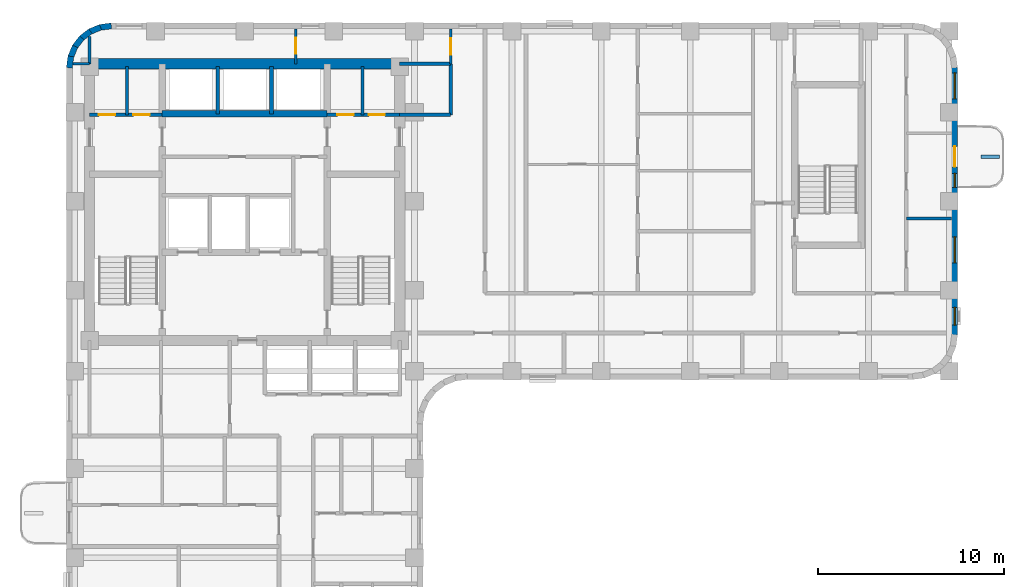
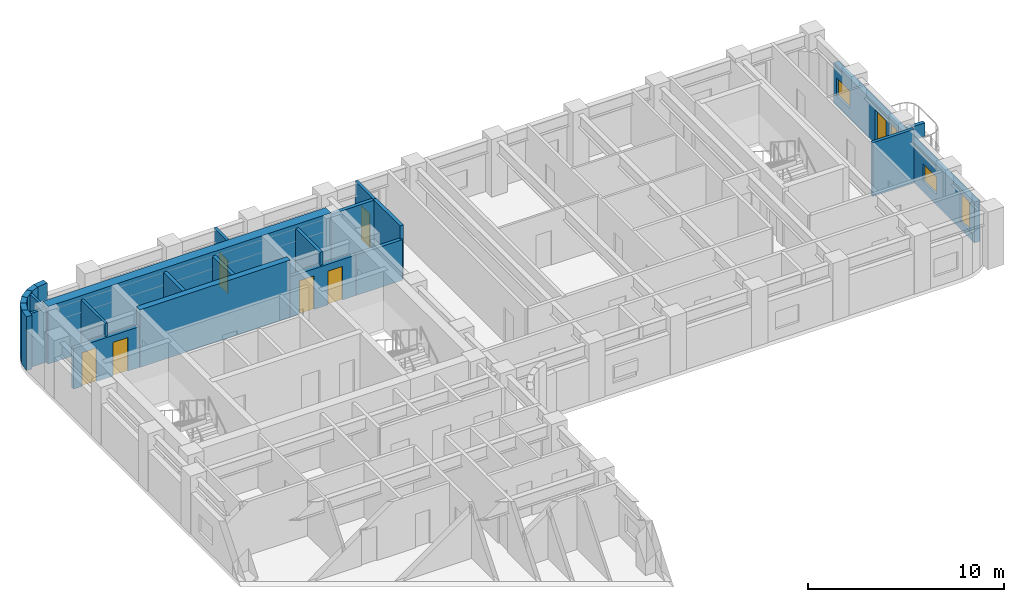
# One storey, part 6 of 10: 24 walls, 7 doors, 4 windows, 11 openings.
"""IFC4 building model written with IfcOpenShell, lengths in metres."""

from ifc_helpers import new_model, si_unit, direction, frame, frame_2d, origin, place, context, subcontext, project, spatial, rectangle, extrude, material, layer, layer_set, type_object, element, fill, save


model = new_model("IFC4")

# Units and contexts
model_context = context("Model", 3, precision=1e-05, world=origin(), true_north=direction((0.0, 1.0)))
body_context = subcontext(model_context, "Body", "Model", "MODEL_VIEW")
ifc_project = project(units=[si_unit("LENGTHUNIT", "METRE"), si_unit("AREAUNIT", "SQUARE_METRE"), si_unit("VOLUMEUNIT", "CUBIC_METRE"), si_unit("PLANEANGLEUNIT", "RADIAN"), si_unit("MASSUNIT", "GRAM", prefix="KILO")], contexts=[model_context])

# Site, building, storey
site_placement = place(None, origin())
site = spatial("IfcSite", under=ifc_project, at=site_placement, CompositionType="ELEMENT")
building_placement = place(site_placement, origin())
building = spatial("IfcBuilding", under=site, at=building_placement, Name="Orvandelia Arch Residences", CompositionType="ELEMENT")
storey_placement = place(building_placement, frame((0.0, 0.0, 136.0)))
storey = spatial("IfcBuildingStorey", under=building, at=storey_placement, Name="L35", CompositionType="ELEMENT", Elevation=136.0)

# Walls
ifc_material_1 = material(Name="Concrete C50/60", Category="concrete")
ifc_layer_1 = layer(ifc_material_1, 0.35009765625, Name="Concrete C50/60", Category="concrete")
ifc_layer_set_1 = layer_set([ifc_layer_1], Name="Concrete C50/60")
wall_type_1 = type_object("IfcWallType", Name="WL-CORE-350", PredefinedType="SHEAR", material=ifc_layer_set_1)
wall_1_placement = place(storey_placement, frame((9.9599609375, 43.10009765625, 0.0), z_axis=(0.0, 0.0, 1.0), x_axis=(1.0, 0.0, 0.0)))
element("IfcWall", 1, at=wall_1_placement, inside=storey, type_object=wall_type_1, Name="Core Shear Wall L35-HZ4", PredefinedType="SHEAR", context=body_context, shape_type="SweptSolid", body=[
    extrude(rectangle(XDim=8.880126953125, YDim=0.35009765625, at=frame_2d((4.43994140625, 0.0))), origin(), (0.0, 0.0, 1.0), 3.60009765625),
])
ifc_material_2 = material(Name="Concrete C60/75", Category="concrete")
ifc_layer_2 = layer(ifc_material_2, 0.550048828125, Name="Concrete C60/75", Category="concrete")
ifc_layer_set_2 = layer_set([ifc_layer_2], Name="Concrete C60/75")
wall_type_2 = type_object("IfcWallType", Name="WL-CORE-550", PredefinedType="SHEAR", material=ifc_layer_set_2)
wall_2_placement = place(storey_placement, frame((6.050048828125, 45.800048828125, 0.0), z_axis=(0.0, 0.0, 1.0), x_axis=(1.0, 0.0, 0.0)))
element("IfcWall", 2, at=wall_2_placement, inside=storey, type_object=wall_type_2, Name="Core Shear Wall L35-N", PredefinedType="SHEAR", context=body_context, shape_type="SweptSolid", body=[
    extrude(rectangle(XDim=16.699951171875, YDim=0.550048828125, at=frame_2d((8.35009765625, 0.0))), origin(), (0.0, 0.0, 1.0), 3.60009765625),
])
ifc_material_3 = material(Name="Fire-Rated Corridor Partition")
ifc_layer_3 = layer(ifc_material_3, 0.199951171875, Name="Fire-Rated Corridor Partition")
ifc_layer_set_3 = layer_set([ifc_layer_3], Name="Fire-Rated Corridor Partition")
wall_type_3 = type_object("IfcWallType", Name="WL-CORR-200", PredefinedType="PARTITIONING", material=ifc_layer_set_3)
wall_3_placement = place(storey_placement, frame((22.75, 45.800048828125, 0.0), z_axis=(0.0, 0.0, 1.0), x_axis=(1.0, 0.0, 0.0)))
element("IfcWall", 3, at=wall_3_placement, inside=storey, type_object=wall_type_3, Name="Interior Partition Wall WL-L35-NCE-S", PredefinedType="PARTITIONING", context=body_context, shape_type="SweptSolid", body=[
    extrude(rectangle(XDim=2.75, YDim=0.199951171875, at=frame_2d((1.375, 0.0))), origin(), (0.0, 0.0, 1.0), 3.360107421875),
])
wall_4_placement = place(storey_placement, frame((22.75, 43.050048828125, 0.0), z_axis=(0.0, 0.0, 1.0), x_axis=(1.0, 0.0, 0.0)))
element("IfcWall", 4, at=wall_4_placement, inside=storey, type_object=wall_type_3, Name="Interior Partition Wall WL-L35-ES-LS", PredefinedType="PARTITIONING", context=body_context, shape_type="SweptSolid", body=[
    extrude(rectangle(XDim=2.75, YDim=0.199951171875, at=frame_2d((1.375, 0.0))), origin(), (0.0, 0.0, 1.0), 2.5400390625),
])
wall_5_placement = place(storey_placement, frame((25.5, 43.050048828125, 0.0), z_axis=(0.0, 0.0, 1.0), x_axis=(0.0, 1.0, 0.0)))
element("IfcWall", 5, at=wall_5_placement, inside=storey, type_object=wall_type_3, Name="Interior Partition Wall WL-L35-ES-LW2", PredefinedType="PARTITIONING", context=body_context, shape_type="SweptSolid", body=[
    extrude(rectangle(XDim=2.75, YDim=0.199951171875, at=frame_2d((1.375, 0.0))), origin(), (0.0, 0.0, 1.0), 3.360107421875),
])
ifc_material_4 = material(Name="Precast concrete C40/50", Category="concrete")
ifc_layer_4 = layer(ifc_material_4, 0.320068359375, Name="Precast concrete C40/50", Category="concrete")
ifc_layer_set_4 = layer_set([ifc_layer_4], Name="Precast concrete C40/50")
wall_type_4 = type_object("IfcWallType", Name="WL-EXT-STONE-320", PredefinedType="STANDARD", material=ifc_layer_set_4)
for number, where, z_axis, x_axis, name in (
    (6, (4.95849609375, 45.5791015625, 0.0), (0.0, 0.0, 1.0), (0.130555323746, 0.9914410257, 0.0), "Coral-Limestone Precast Facade Wall L35-001"),
    (7, (5.029541015625, 46.159912109375, 0.0), (0.0, 0.0, 1.0), (0.382650053678, 0.92389335771, 0.0), "Coral-Limestone Precast Facade Wall L35-002"),
):
    element("IfcWall", number, at=place(storey_placement, frame(where, z_axis=z_axis, x_axis=x_axis)), inside=storey, type_object=wall_type_4, Name=name, PredefinedType="STANDARD", context=body_context, shape_type="SweptSolid", body=[
        extrude(rectangle(XDim=0.62646484375, YDim=0.320068359375, at=frame_2d((0.313232421875, 0.0))), origin(), (0.0, 0.0, 1.0), 3.360107421875),
    ])
wall_6_placement = place(storey_placement, frame((5.248291015625, 46.70263671875, 0.0), z_axis=(0.0, 0.0, 1.0), x_axis=(0.608938521285, 0.7932174212, 0.0)))
element("IfcWall", 8, at=wall_6_placement, inside=storey, type_object=wall_type_4, Name="Coral-Limestone Precast Facade Wall L35-003", PredefinedType="STANDARD", context=body_context, shape_type="SweptSolid", body=[
    extrude(rectangle(XDim=0.626708984375, YDim=0.320068359375, at=frame_2d((0.3134765625, 0.0))), origin(), (0.0, 0.0, 1.0), 3.360107421875),
])
wall_7_placement = place(storey_placement, frame((5.600341796875, 47.170166015625, 0.0), z_axis=(0.0, 0.0, 1.0), x_axis=(0.793405610854, 0.608693302629, 0.0)))
element("IfcWall", 9, at=wall_7_placement, inside=storey, type_object=wall_type_4, Name="Coral-Limestone Precast Facade Wall L35-004", PredefinedType="STANDARD", context=body_context, shape_type="SweptSolid", body=[
    extrude(rectangle(XDim=0.62646484375, YDim=0.320068359375, at=frame_2d((0.313232421875, 0.0))), origin(), (0.0, 0.0, 1.0), 3.360107421875),
])
wall_8_placement = place(storey_placement, frame((6.061279296875, 47.53076171875, 0.0), z_axis=(0.0, 0.0, 1.0), x_axis=(0.923836271867, 0.382787856107, 0.0)))
element("IfcWall", 10, at=wall_8_placement, inside=storey, type_object=wall_type_4, Name="Coral-Limestone Precast Facade Wall L35-005", PredefinedType="STANDARD", context=body_context, shape_type="SweptSolid", body=[
    extrude(rectangle(XDim=0.626220703125, YDim=0.320068359375, at=frame_2d((0.31298828125, 0.0))), origin(), (0.0, 0.0, 1.0), 3.360107421875),
])
wall_9_placement = place(storey_placement, frame((6.599609375, 47.759521484375, 0.0), z_axis=(0.0, 0.0, 1.0), x_axis=(0.991447664465, 0.130504898859, 0.0)))
element("IfcWall", 11, at=wall_9_placement, inside=storey, type_object=wall_type_4, Name="Coral-Limestone Precast Facade Wall L35-006", PredefinedType="STANDARD", context=body_context, shape_type="SweptSolid", body=[
    extrude(rectangle(XDim=0.626708984375, YDim=0.320068359375, at=frame_2d((0.3134765625, 0.0))), origin(), (0.0, 0.0, 1.0), 3.360107421875),
])

# Wall, openings, door, windows
wall_10_placement = place(storey_placement, frame((52.639892578125, 45.60009765625, 0.0), z_axis=(0.0, 0.0, 1.0), x_axis=(0.0, -1.0, 0.0)))
wall_10 = element("IfcWall", 12, at=wall_10_placement, inside=storey, type_object=wall_type_4, Name="Coral-Limestone Precast Facade Wall L35-014", PredefinedType="STANDARD", context=body_context, shape_type="SweptSolid", body=[
    extrude(rectangle(XDim=14.400146484375, YDim=0.320068359375, at=frame_2d((7.2001953125, 0.0))), origin(), (0.0, 0.0, 1.0), 2.5400390625),
])
opening_1_placement = place(wall_10_placement, frame((4.25, 0.0, 0.0)))
opening_1 = element("IfcOpeningElement", 13, at=opening_1_placement, cuts=wall_10, Name="Opening BD1", PredefinedType="OPENING", context=body_context, shape_type="SweptSolid", body=[
    extrude(rectangle(XDim=1.10009765625, YDim=2.14990234375, at=frame_2d((0.550048828125, 1.074951171875))), frame((0.0, 0.169921875, 0.0), z_axis=(0.0, -1.0, 0.0), x_axis=(1.0, 0.0, 0.0)), (0.0, 0.0, 1.0), 0.340087890625),
])
opening_2_placement = place(wall_10_placement, frame((0.282470703125, 0.0, 0.64990234375)))
opening_2 = element("IfcOpeningElement", 14, at=opening_2_placement, cuts=wall_10, Name="Opening W10", PredefinedType="OPENING", context=body_context, shape_type="SweptSolid", body=[
    extrude(rectangle(XDim=1.39990234375, YDim=1.10009765625, at=frame_2d((0.699951171875, 0.550048828125))), frame((0.0, 0.169921875, 0.0), z_axis=(0.0, -1.0, 0.0), x_axis=(1.0, 0.0, 0.0)), (0.0, 0.0, 1.0), 0.340087890625),
])
opening_3_placement = place(wall_10_placement, frame((12.922607421875, 0.0, 0.449951171875)))
opening_3 = element("IfcOpeningElement", 15, at=opening_3_placement, cuts=wall_10, Name="Opening W4", PredefinedType="OPENING", context=body_context, shape_type="SweptSolid", body=[
    extrude(rectangle(XDim=0.949951171875, YDim=1.800048828125, at=frame_2d((0.47509765625, 0.89990234375))), frame((0.0, 0.169921875, 0.0), z_axis=(0.0, -1.0, 0.0), x_axis=(1.0, 0.0, 0.0)), (0.0, 0.0, 1.0), 0.340087890625),
])
opening_4_placement = place(wall_10_placement, frame((9.119384765625, 0.0, 0.64990234375)))
opening_4 = element("IfcOpeningElement", 16, at=opening_4_placement, cuts=wall_10, Name="Opening W10", PredefinedType="OPENING", context=body_context, shape_type="SweptSolid", body=[
    extrude(rectangle(XDim=1.39990234375, YDim=1.10009765625, at=frame_2d((0.699951171875, 0.550048828125))), frame((0.0, 0.169921875, 0.0), z_axis=(0.0, -1.0, 0.0), x_axis=(1.0, 0.0, 0.0)), (0.0, 0.0, 1.0), 0.340087890625),
])
opening_5_placement = place(wall_10_placement, frame((5.702392578125, 0.0, 0.449951171875)))
opening_5 = element("IfcOpeningElement", 17, at=opening_5_placement, cuts=wall_10, Name="Opening W11", PredefinedType="OPENING", context=body_context, shape_type="SweptSolid", body=[
    extrude(rectangle(XDim=0.75, YDim=1.800048828125, at=frame_2d((0.375, 0.89990234375))), frame((0.0, 0.169921875, 0.0), z_axis=(0.0, -1.0, 0.0), x_axis=(1.0, 0.0, 0.0)), (0.0, 0.0, 1.0), 0.340087890625),
])
ifc_material_5 = material(Name="Thermally Broken Aluminium Glazed Door", Category="aluminium")
door_type_1 = type_object("IfcDoorType", Name="DR-BAL-GLAZ-1100", OperationType="NOTDEFINED", PredefinedType="DOOR", material=ifc_material_5)
door_1_placement = place(opening_1_placement, origin())
door_1 = element("IfcDoor", 18, at=door_1_placement, inside=storey, type_object=door_type_1, Name="Tree Balcony Glazed Door BAL-L35-E1", OperationType="SINGLE_SWING_LEFT", OverallHeight=2.14990234375, OverallWidth=1.10009765625, PredefinedType="DOOR", context=body_context, shape_type="SweptSolid", body=[
    extrude(rectangle(XDim=1.10009765625, YDim=2.14990234375, at=frame_2d((0.550048828125, 1.074951171875))), frame((0.0, 0.02490234375, 0.0), z_axis=(0.0, -1.0, 0.0), x_axis=(1.0, 0.0, 0.0)), (0.0, 0.0, 1.0), 0.050048828125),
])
fill(opening_1, door_1)
ifc_material_6 = material(Name="Tempered Low-E Insulated Glazing", Category="glass")
window_type_1 = type_object("IfcWindowType", Name="WIN-BED-0750x1800", PartitioningType="SINGLE_PANEL", PredefinedType="WINDOW", material=ifc_material_6)
window_1_placement = place(opening_5_placement, origin())
window_1 = element("IfcWindow", 19, at=window_1_placement, inside=storey, type_object=window_type_1, Name="Recessed Punched Window L35-011", OverallHeight=1.800048828125, OverallWidth=0.75, PartitioningType="SINGLE_PANEL", PredefinedType="WINDOW", context=body_context, shape_type="SweptSolid", body=[
    extrude(rectangle(XDim=0.75, YDim=1.800048828125, at=frame_2d((0.375, 0.89990234375))), frame((0.0, 0.030029296875, 0.0), z_axis=(0.0, -1.0, 0.0), x_axis=(1.0, 0.0, 0.0)), (0.0, 0.0, 1.0), 0.06005859375),
])
fill(opening_5, window_1)
window_type_2 = type_object("IfcWindowType", Name="WIN-CLR-1400x1100", PartitioningType="SINGLE_PANEL", PredefinedType="WINDOW", material=ifc_material_6)
window_2_placement = place(opening_2_placement, origin())
window_2 = element("IfcWindow", 20, at=window_2_placement, inside=storey, type_object=window_type_2, Name="Recessed Punched Window L35-008", OverallHeight=1.10009765625, OverallWidth=1.39990234375, PartitioningType="SINGLE_PANEL", PredefinedType="WINDOW", context=body_context, shape_type="SweptSolid", body=[
    extrude(rectangle(XDim=1.39990234375, YDim=1.10009765625, at=frame_2d((0.699951171875, 0.550048828125))), frame((0.0, 0.030029296875, 0.0), z_axis=(0.0, -1.0, 0.0), x_axis=(1.0, 0.0, 0.0)), (0.0, 0.0, 1.0), 0.06005859375),
])
fill(opening_2, window_2)
window_3_placement = place(opening_4_placement, origin())
window_3 = element("IfcWindow", 21, at=window_3_placement, inside=storey, type_object=window_type_2, Name="Recessed Punched Window L35-010", OverallHeight=1.10009765625, OverallWidth=1.39990234375, PartitioningType="SINGLE_PANEL", PredefinedType="WINDOW", context=body_context, shape_type="SweptSolid", body=[
    extrude(rectangle(XDim=1.39990234375, YDim=1.10009765625, at=frame_2d((0.699951171875, 0.550048828125))), frame((0.0, 0.030029296875, 0.0), z_axis=(0.0, -1.0, 0.0), x_axis=(1.0, 0.0, 0.0)), (0.0, 0.0, 1.0), 0.06005859375),
])
fill(opening_4, window_3)
window_type_3 = type_object("IfcWindowType", Name="WIN-RES-0950x1800", PartitioningType="SINGLE_PANEL", PredefinedType="WINDOW", material=ifc_material_6)
window_4_placement = place(opening_3_placement, origin())
window_4 = element("IfcWindow", 22, at=window_4_placement, inside=storey, type_object=window_type_3, Name="Recessed Punched Window L35-009", OverallHeight=1.800048828125, OverallWidth=0.949951171875, PartitioningType="SINGLE_PANEL", PredefinedType="WINDOW", context=body_context, shape_type="SweptSolid", body=[
    extrude(rectangle(XDim=0.949951171875, YDim=1.800048828125, at=frame_2d((0.47509765625, 0.89990234375))), frame((0.0, 0.030029296875, 0.0), z_axis=(0.0, -1.0, 0.0), x_axis=(1.0, 0.0, 0.0)), (0.0, 0.0, 1.0), 0.06005859375),
])
fill(opening_3, window_4)

# Walls
ifc_material_7 = material(Name="Acoustic Gypsum Stud Partition")
ifc_layer_5 = layer(ifc_material_7, 0.14990234375, Name="Acoustic Gypsum Stud Partition")
ifc_layer_set_5 = layer_set([ifc_layer_5], Name="Acoustic Gypsum Stud Partition")
wall_type_5 = type_object("IfcWallType", Name="WL-PART-150", PredefinedType="PARTITIONING", material=ifc_layer_set_5)
wall_11_placement = place(storey_placement, frame((8.06005859375, 43.050048828125, 0.0), z_axis=(0.0, 0.0, 1.0), x_axis=(0.0, 1.0, 0.0)))
element("IfcWall", 23, at=wall_11_placement, inside=storey, type_object=wall_type_5, Name="Interior Partition Wall WL-L35-CRELC-M", PredefinedType="PARTITIONING", context=body_context, shape_type="SweptSolid", body=[
    extrude(rectangle(XDim=2.599853515625, YDim=0.14990234375, at=frame_2d((1.2998046875, 0.0))), origin(), (0.0, 0.0, 1.0), 3.360107421875),
])
wall_12_placement = place(storey_placement, frame((5.159912109375, 45.800048828125, 0.0), z_axis=(0.0, 0.0, 1.0), x_axis=(1.0, 0.0, 0.0)))
element("IfcWall", 24, at=wall_12_placement, inside=storey, type_object=wall_type_5, Name="Interior Partition Wall WL-L35-WF-N", PredefinedType="PARTITIONING", context=body_context, shape_type="SweptSolid", body=[
    extrude(rectangle(XDim=0.89013671875, YDim=0.14990234375, at=frame_2d((0.445068359375, 0.0))), origin(), (0.0, 0.0, 1.0), 3.360107421875),
])

# Wall, opening, door
wall_13_placement = place(storey_placement, frame((25.5, 45.800048828125, 0.0), z_axis=(0.0, 0.0, 1.0), x_axis=(0.0, 1.0, 0.0)))
wall_13 = element("IfcWall", 25, at=wall_13_placement, inside=storey, type_object=wall_type_5, Name="Interior Partition Wall WL-L35-NCE-W", PredefinedType="PARTITIONING", context=body_context, shape_type="SweptSolid", body=[
    extrude(rectangle(XDim=1.8798828125, YDim=0.14990234375, at=frame_2d((0.93994140625, 0.0))), origin(), (0.0, 0.0, 1.0), 3.360107421875),
])
opening_6_placement = place(wall_13_placement, frame((0.5, 0.0, 0.0)))
opening_6 = element("IfcOpeningElement", 26, at=opening_6_placement, cuts=wall_13, Name="Opening D5", PredefinedType="OPENING", context=body_context, shape_type="SweptSolid", body=[
    extrude(rectangle(XDim=0.8798828125, YDim=2.10009765625, at=frame_2d((0.43994140625, 1.050048828125))), frame((0.0, 0.0849609375, 0.0), z_axis=(0.0, -1.0, 0.0), x_axis=(1.0, 0.0, 0.0)), (0.0, 0.0, 1.0), 0.169921875),
])
ifc_material_8 = material(Name="Painted Galvanised Steel Service Door", Category="steel")
door_type_2 = type_object("IfcDoorType", Name="DR-SRV-880", OperationType="NOTDEFINED", PredefinedType="DOOR", material=ifc_material_8)
door_2_placement = place(opening_6_placement, origin())
door_2 = element("IfcDoor", 27, at=door_2_placement, inside=storey, type_object=door_type_2, Name="DR-L35-NCS2", OperationType="SINGLE_SWING_LEFT", OverallHeight=2.10009765625, OverallWidth=0.8798828125, PredefinedType="DOOR", context=body_context, shape_type="SweptSolid", body=[
    extrude(rectangle(XDim=0.8798828125, YDim=2.10009765625, at=frame_2d((0.43994140625, 1.050048828125))), frame((0.0, 0.02490234375, 0.0), z_axis=(0.0, -1.0, 0.0), x_axis=(1.0, 0.0, 0.0)), (0.0, 0.0, 1.0), 0.050048828125),
])
fill(opening_6, door_2)

# Wall
wall_14_placement = place(storey_placement, frame((6.050048828125, 45.800048828125, 0.0), z_axis=(0.0, 0.0, 1.0), x_axis=(0.0, 1.0, 0.0)))
element("IfcWall", 28, at=wall_14_placement, inside=storey, type_object=wall_type_5, Name="Interior Partition Wall WL-L35-NC-W6", PredefinedType="PARTITIONING", context=body_context, shape_type="SweptSolid", body=[
    extrude(rectangle(XDim=1.4599609375, YDim=0.14990234375, at=frame_2d((0.72998046875, 0.0))), origin(), (0.0, 0.0, 1.0), 3.360107421875),
])

# Wall, opening, door
wall_15_placement = place(storey_placement, frame((17.14990234375, 45.800048828125, 0.0), z_axis=(0.0, 0.0, 1.0), x_axis=(0.0, 1.0, 0.0)))
wall_15 = element("IfcWall", 29, at=wall_15_placement, inside=storey, type_object=wall_type_5, Name="Interior Partition Wall WL-L35-NC-M", PredefinedType="PARTITIONING", context=body_context, shape_type="SweptSolid", body=[
    extrude(rectangle(XDim=1.8798828125, YDim=0.14990234375, at=frame_2d((0.93994140625, 0.0))), origin(), (0.0, 0.0, 1.0), 3.360107421875),
])
opening_7_placement = place(wall_15_placement, frame((0.550048828125, 0.0, 0.0)))
opening_7 = element("IfcOpeningElement", 30, at=opening_7_placement, cuts=wall_15, Name="Opening D4", PredefinedType="OPENING", context=body_context, shape_type="SweptSolid", body=[
    extrude(rectangle(XDim=0.860107421875, YDim=2.10009765625, at=frame_2d((0.43017578125, 1.050048828125))), frame((0.0, 0.0849609375, 0.0), z_axis=(0.0, -1.0, 0.0), x_axis=(1.0, 0.0, 0.0)), (0.0, 0.0, 1.0), 0.169921875),
])
ifc_material_9 = material(Name="Moisture-Sealed Timber Bathroom Door", Category="wood")
door_type_3 = type_object("IfcDoorType", Name="DR-WET-900", OperationType="NOTDEFINED", PredefinedType="DOOR", material=ifc_material_9)
door_3_placement = place(opening_7_placement, origin())
door_3 = element("IfcDoor", 31, at=door_3_placement, inside=storey, type_object=door_type_3, Name="DR-L35-NCS1", OperationType="SINGLE_SWING_LEFT", OverallHeight=2.10009765625, OverallWidth=0.860107421875, PredefinedType="DOOR", context=body_context, shape_type="SweptSolid", body=[
    extrude(rectangle(XDim=0.860107421875, YDim=2.10009765625, at=frame_2d((0.43017578125, 1.050048828125))), frame((0.0, 0.02490234375, 0.0), z_axis=(0.0, -1.0, 0.0), x_axis=(1.0, 0.0, 0.0)), (0.0, 0.0, 1.0), 0.050048828125),
])
fill(opening_7, door_3)

# Wall
ifc_layer_6 = layer(ifc_material_4, 0.199951171875, Name="Precast concrete C40/50", Category="concrete")
ifc_layer_set_6 = layer_set([ifc_layer_6], Name="Precast concrete C40/50")
wall_type_6 = type_object("IfcWallType", Name="WL-PLANTER-200", PredefinedType="MOVABLE", material=ifc_layer_set_6)
wall_16_placement = place(storey_placement, frame((54.050048828125, 40.800048828125, 0.0), z_axis=(0.0, 0.0, 1.0), x_axis=(1.0, 0.0, 0.0)))
element("IfcWall", 32, at=wall_16_placement, inside=storey, type_object=wall_type_6, Name="Balcony Precast Tree Planter BAL-L35-E1", PredefinedType="MOVABLE", context=body_context, shape_type="SweptSolid", body=[
    extrude(rectangle(XDim=1.0, YDim=0.199951171875, at=frame_2d((0.5, 0.0))), origin(), (0.0, 0.0, 1.0), 0.85009765625),
])

# Wall, openings, doors
ifc_material_10 = material(Name="Fire-Rated Shaft Enclosure Wall")
ifc_layer_7 = layer(ifc_material_10, 0.199951171875, Name="Fire-Rated Shaft Enclosure Wall")
ifc_layer_set_7 = layer_set([ifc_layer_7], Name="Fire-Rated Shaft Enclosure Wall")
wall_type_7 = type_object("IfcWallType", Name="WL-SHAFT-200", PredefinedType="POLYGONAL", material=ifc_layer_set_7)
wall_17_placement = place(storey_placement, frame((18.840087890625, 43.050048828125, 0.0), z_axis=(0.0, 0.0, 1.0), x_axis=(1.0, 0.0, 0.0)))
wall_17 = element("IfcWall", 33, at=wall_17_placement, inside=storey, type_object=wall_type_7, Name="Interior Partition Wall WL-L35-HLE-N", PredefinedType="POLYGONAL", context=body_context, shape_type="SweptSolid", body=[
    extrude(rectangle(XDim=3.909912109375, YDim=0.199951171875, at=frame_2d((1.955078125, 0.0))), origin(), (0.0, 0.0, 1.0), 2.5400390625),
])
opening_8_placement = place(wall_17_placement, frame((0.550048828125, 0.0, 0.0)))
opening_8 = element("IfcOpeningElement", 34, at=opening_8_placement, cuts=wall_17, Name="Opening D5", PredefinedType="OPENING", context=body_context, shape_type="SweptSolid", body=[
    extrude(rectangle(XDim=0.8798828125, YDim=2.10009765625, at=frame_2d((0.43994140625, 1.050048828125))), frame((0.0, 0.10986328125, 0.0), z_axis=(0.0, -1.0, 0.0), x_axis=(1.0, 0.0, 0.0)), (0.0, 0.0, 1.0), 0.219970703125),
])
opening_9_placement = place(wall_17_placement, frame((2.25, 0.0, 0.0)))
opening_9 = element("IfcOpeningElement", 35, at=opening_9_placement, cuts=wall_17, Name="Opening D4", PredefinedType="OPENING", context=body_context, shape_type="SweptSolid", body=[
    extrude(rectangle(XDim=0.860107421875, YDim=2.10009765625, at=frame_2d((0.43017578125, 1.050048828125))), frame((0.0, 0.10986328125, 0.0), z_axis=(0.0, -1.0, 0.0), x_axis=(1.0, 0.0, 0.0)), (0.0, 0.0, 1.0), 0.219970703125),
])
door_4_placement = place(opening_8_placement, origin())
door_4 = element("IfcDoor", 36, at=door_4_placement, inside=storey, type_object=door_type_2, Name="DR-L35-CSB1", OperationType="SINGLE_SWING_LEFT", OverallHeight=2.10009765625, OverallWidth=0.8798828125, PredefinedType="DOOR", context=body_context, shape_type="SweptSolid", body=[
    extrude(rectangle(XDim=0.8798828125, YDim=2.10009765625, at=frame_2d((0.43994140625, 1.050048828125))), frame((0.0, 0.02490234375, 0.0), z_axis=(0.0, -1.0, 0.0), x_axis=(1.0, 0.0, 0.0)), (0.0, 0.0, 1.0), 0.050048828125),
])
fill(opening_8, door_4)
door_5_placement = place(opening_9_placement, origin())
door_5 = element("IfcDoor", 37, at=door_5_placement, inside=storey, type_object=door_type_3, Name="DR-L35-CSB2", OperationType="SINGLE_SWING_RIGHT", OverallHeight=2.10009765625, OverallWidth=0.860107421875, PredefinedType="DOOR", context=body_context, shape_type="SweptSolid", body=[
    extrude(rectangle(XDim=0.860107421875, YDim=2.10009765625, at=frame_2d((0.43017578125, 1.050048828125))), frame((0.0, 0.02490234375, 0.0), z_axis=(0.0, -1.0, 0.0), x_axis=(1.0, 0.0, 0.0)), (0.0, 0.0, 1.0), 0.050048828125),
])
fill(opening_9, door_5)

wall_18_placement = place(storey_placement, frame((6.050048828125, 43.050048828125, 0.0), z_axis=(0.0, 0.0, 1.0), x_axis=(1.0, 0.0, 0.0)))
wall_18 = element("IfcWall", 38, at=wall_18_placement, inside=storey, type_object=wall_type_7, Name="Interior Partition Wall WL-L35-HLW-N", PredefinedType="POLYGONAL", context=body_context, shape_type="SweptSolid", body=[
    extrude(rectangle(XDim=3.909912109375, YDim=0.199951171875, at=frame_2d((1.955078125, 0.0))), origin(), (0.0, 0.0, 1.0), 2.5400390625),
])
opening_10_placement = place(wall_18_placement, frame((0.5, 0.0, 0.0)))
opening_10 = element("IfcOpeningElement", 39, at=opening_10_placement, cuts=wall_18, Name="Opening D5", PredefinedType="OPENING", context=body_context, shape_type="SweptSolid", body=[
    extrude(rectangle(XDim=0.8798828125, YDim=2.10009765625, at=frame_2d((0.43994140625, 1.050048828125))), frame((0.0, 0.10986328125, 0.0), z_axis=(0.0, -1.0, 0.0), x_axis=(1.0, 0.0, 0.0)), (0.0, 0.0, 1.0), 0.219970703125),
])
opening_11_placement = place(wall_18_placement, frame((2.35009765625, 0.0, 0.0)))
opening_11 = element("IfcOpeningElement", 40, at=opening_11_placement, cuts=wall_18, Name="Opening D5", PredefinedType="OPENING", context=body_context, shape_type="SweptSolid", body=[
    extrude(rectangle(XDim=0.8798828125, YDim=2.10009765625, at=frame_2d((0.43994140625, 1.050048828125))), frame((0.0, 0.10986328125, 0.0), z_axis=(0.0, -1.0, 0.0), x_axis=(1.0, 0.0, 0.0)), (0.0, 0.0, 1.0), 0.219970703125),
])
door_6_placement = place(opening_10_placement, origin())
door_6 = element("IfcDoor", 41, at=door_6_placement, inside=storey, type_object=door_type_2, Name="DR-L35-CRELC1", OperationType="SINGLE_SWING_LEFT", OverallHeight=2.10009765625, OverallWidth=0.8798828125, PredefinedType="DOOR", context=body_context, shape_type="SweptSolid", body=[
    extrude(rectangle(XDim=0.8798828125, YDim=2.10009765625, at=frame_2d((0.43994140625, 1.050048828125))), frame((0.0, 0.02490234375, 0.0), z_axis=(0.0, -1.0, 0.0), x_axis=(1.0, 0.0, 0.0)), (0.0, 0.0, 1.0), 0.050048828125),
])
fill(opening_10, door_6)
door_7_placement = place(opening_11_placement, origin())
door_7 = element("IfcDoor", 42, at=door_7_placement, inside=storey, type_object=door_type_2, Name="DR-L35-CRELC2", OperationType="SINGLE_SWING_RIGHT", OverallHeight=2.10009765625, OverallWidth=0.8798828125, PredefinedType="DOOR", context=body_context, shape_type="SweptSolid", body=[
    extrude(rectangle(XDim=0.8798828125, YDim=2.10009765625, at=frame_2d((0.43994140625, 1.050048828125))), frame((0.0, 0.02490234375, 0.0), z_axis=(0.0, -1.0, 0.0), x_axis=(1.0, 0.0, 0.0)), (0.0, 0.0, 1.0), 0.050048828125),
])
fill(opening_11, door_7)

# Walls
for number, where, z_axis, x_axis, name in (
    (43, (12.949951171875, 43.10009765625, 0.0), (0.0, 0.0, 1.0), (0.0, 1.0, 0.0), "Interior Partition Wall WL-L35-PHD1"),
    (44, (15.85009765625, 43.10009765625, 0.0), (0.0, 0.0, 1.0), (0.0, 1.0, 0.0), "Interior Partition Wall WL-L35-PHD2"),
):
    element("IfcWall", number, at=place(storey_placement, frame(where, z_axis=z_axis, x_axis=x_axis)), inside=storey, type_object=wall_type_7, Name=name, PredefinedType="POLYGONAL", context=body_context, shape_type="SweptSolid", body=[
        extrude(rectangle(XDim=2.5498046875, YDim=0.199951171875, at=frame_2d((1.27490234375, 0.0))), origin(), (0.0, 0.0, 1.0), 3.360107421875),
    ])
ifc_material_11 = material(Name="Moisture-Resistant Plumbing Wall")
ifc_layer_8 = layer(ifc_material_11, 0.179931640625, Name="Moisture-Resistant Plumbing Wall")
ifc_layer_set_8 = layer_set([ifc_layer_8], Name="Moisture-Resistant Plumbing Wall")
wall_type_8 = type_object("IfcWallType", Name="WL-WET-180", PredefinedType="PLUMBINGWALL", material=ifc_layer_set_8)
wall_19_placement = place(storey_placement, frame((20.75, 43.050048828125, 0.0), z_axis=(0.0, 0.0, 1.0), x_axis=(0.0, 1.0, 0.0)))
element("IfcWall", 45, at=wall_19_placement, inside=storey, type_object=wall_type_8, Name="Interior Partition Wall WL-L35-CSB-1", PredefinedType="PLUMBINGWALL", context=body_context, shape_type="SweptSolid", body=[
    extrude(rectangle(XDim=2.599853515625, YDim=0.179931640625, at=frame_2d((1.2998046875, 0.0))), origin(), (0.0, 0.0, 1.0), 3.360107421875),
])
wall_20_placement = place(storey_placement, frame((50.04296875, 37.466064453125, 0.0), z_axis=(0.0, 0.0, 1.0), x_axis=(1.0, 0.0, 0.0)))
element("IfcWall", 46, at=wall_20_placement, inside=storey, type_object=wall_type_8, Name="Interior Partition Wall WL-L35-U07-H1", PredefinedType="PLUMBINGWALL", context=body_context, shape_type="SweptSolid", body=[
    extrude(rectangle(XDim=2.43701171875, YDim=0.179931640625, at=frame_2d((1.218505859375, 0.0))), origin(), (0.0, 0.0, 1.0), 3.360107421875),
])

save(model, "model.ifc")
